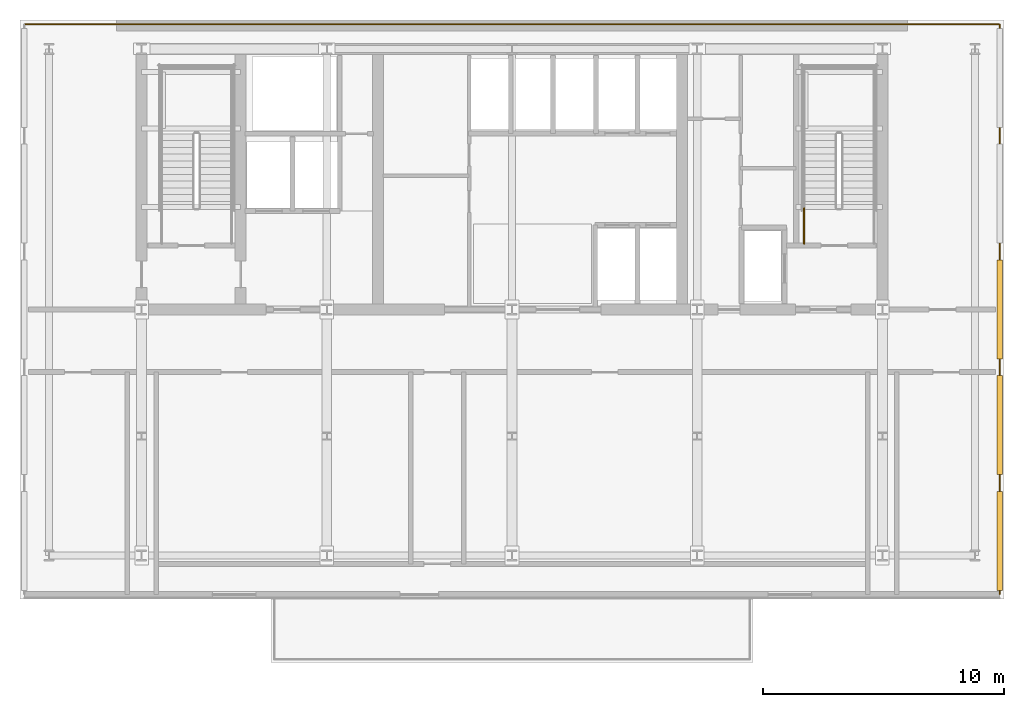
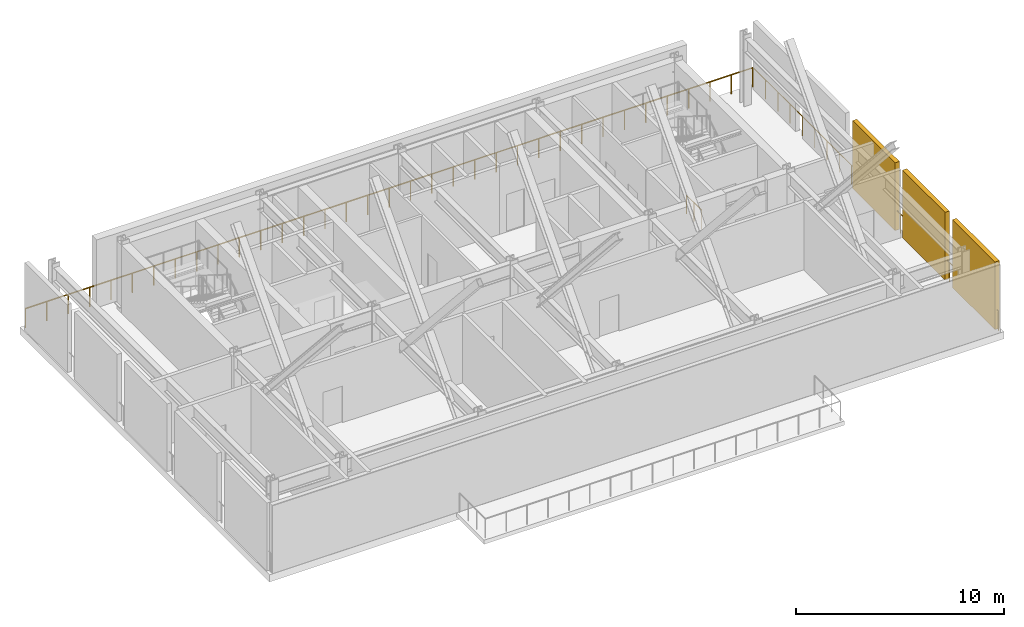
# One storey, part 7 of 8: 3 railings, 3 shading devices.
"""IFC4 building model written with IfcOpenShell, lengths in metres."""

from ifc_helpers import new_model, si_unit, direction, frame, origin, origin_2d, place, context, subcontext, project, spatial, rectangle, circle, extrude, material, layer, layer_set, type_object, element, save


model = new_model("IFC4")

# Units and contexts
model_context = context("Model", 3, precision=1e-05, world=origin(), true_north=direction((0.0, 1.0)))
body_context = subcontext(model_context, "Body", "Model", "MODEL_VIEW")
ifc_project = project(units=[si_unit("LENGTHUNIT", "METRE"), si_unit("AREAUNIT", "SQUARE_METRE"), si_unit("VOLUMEUNIT", "CUBIC_METRE"), si_unit("PLANEANGLEUNIT", "RADIAN"), si_unit("MASSUNIT", "GRAM", prefix="KILO")], contexts=[model_context])

# Site, building, storey
site_placement = place(None, origin())
site = spatial("IfcSite", under=ifc_project, at=site_placement, CompositionType="ELEMENT")
building_placement = place(site_placement, origin())
building = spatial("IfcBuilding", under=site, at=building_placement, Name="Yelkora Congress Tower", CompositionType="ELEMENT")
storey_placement = place(building_placement, frame((0.0, 0.0, 191.89990234375)))
storey = spatial("IfcBuildingStorey", under=building, at=storey_placement, Name="L53", CompositionType="ELEMENT", Elevation=191.89990234375)

# Railings
ifc_material_1 = material(Name="Stainless steel 316L and laminated glass infill", Category="steel")
ifc_layer_1 = layer(ifc_material_1, 0.080078125)
ifc_layer_set_1 = layer_set([ifc_layer_1], Name="Stainless steel 316L and laminated glass infill")
railing_type_1 = type_object("IfcRailingType", Name="RAIL-EXT-GUARD-1150", PredefinedType="GUARDRAIL", material=ifc_layer_set_1)
railing_1_placement = place(storey_placement, frame((58.6201171875, 23.60009765625, 0.0)))
element("IfcRailing", 1, at=railing_1_placement, inside=storey, type_object=railing_type_1, Name="L53 Wind-Floor Perimeter Guardrail E", PredefinedType="GUARDRAIL", context=body_context, shape_type="SweptSolid", body=[
    extrude(circle(Radius=0.02392578125, at=origin_2d()), frame((0.0, 0.0, 1.1259765625), z_axis=(0.0, 1.0, 0.0), x_axis=(-1.0, 0.0, 0.0)), (0.0, 0.0, 1.0), 23.599853515625),
    extrude(circle(Radius=0.02099609375, at=origin_2d()), origin(), (0.0, 0.0, 1.0), 1.101806640625),
    extrude(circle(Radius=0.02099609375, at=origin_2d()), frame((0.0, 1.179931640625, 0.0)), (0.0, 0.0, 1.0), 1.101806640625),
    extrude(circle(Radius=0.02099609375, at=origin_2d()), frame((0.0, 2.35986328125, 0.0)), (0.0, 0.0, 1.0), 1.101806640625),
    extrude(circle(Radius=0.02099609375, at=origin_2d()), frame((0.0, 3.5400390625, 0.0)), (0.0, 0.0, 1.0), 1.101806640625),
    extrude(circle(Radius=0.02099609375, at=origin_2d()), frame((0.0, 4.719970703125, 0.0)), (0.0, 0.0, 1.0), 1.101806640625),
    extrude(circle(Radius=0.02099609375, at=origin_2d()), frame((0.0, 5.89990234375, 0.0)), (0.0, 0.0, 1.0), 1.101806640625),
    extrude(circle(Radius=0.02099609375, at=origin_2d()), frame((0.0, 7.080078125, 0.0)), (0.0, 0.0, 1.0), 1.101806640625),
    extrude(circle(Radius=0.02099609375, at=origin_2d()), frame((0.0, 8.260009765625, 0.0)), (0.0, 0.0, 1.0), 1.101806640625),
    extrude(circle(Radius=0.02099609375, at=origin_2d()), frame((0.0, 9.43994140625, 0.0)), (0.0, 0.0, 1.0), 1.101806640625),
    extrude(circle(Radius=0.02099609375, at=origin_2d()), frame((0.0, 10.619873046875, 0.0)), (0.0, 0.0, 1.0), 1.101806640625),
    extrude(circle(Radius=0.02099609375, at=origin_2d()), frame((0.0, 11.7998046875, 0.0)), (0.0, 0.0, 1.0), 1.101806640625),
    extrude(circle(Radius=0.02099609375, at=origin_2d()), frame((0.0, 12.97998046875, 0.0)), (0.0, 0.0, 1.0), 1.101806640625),
    extrude(circle(Radius=0.02099609375, at=origin_2d()), frame((0.0, 14.159912109375, 0.0)), (0.0, 0.0, 1.0), 1.101806640625),
    extrude(circle(Radius=0.02099609375, at=origin_2d()), frame((0.0, 15.33984375, 0.0)), (0.0, 0.0, 1.0), 1.101806640625),
    extrude(circle(Radius=0.02099609375, at=origin_2d()), frame((0.0, 16.52001953125, 0.0)), (0.0, 0.0, 1.0), 1.101806640625),
    extrude(circle(Radius=0.02099609375, at=origin_2d()), frame((0.0, 17.699951171875, 0.0)), (0.0, 0.0, 1.0), 1.101806640625),
    extrude(circle(Radius=0.02099609375, at=origin_2d()), frame((0.0, 18.8798828125, 0.0)), (0.0, 0.0, 1.0), 1.101806640625),
    extrude(circle(Radius=0.02099609375, at=origin_2d()), frame((0.0, 20.059814453125, 0.0)), (0.0, 0.0, 1.0), 1.101806640625),
    extrude(circle(Radius=0.02099609375, at=origin_2d()), frame((0.0, 21.23974609375, 0.0)), (0.0, 0.0, 1.0), 1.101806640625),
    extrude(circle(Radius=0.02099609375, at=origin_2d()), frame((0.0, 22.419921875, 0.0)), (0.0, 0.0, 1.0), 1.101806640625),
    extrude(circle(Radius=0.02099609375, at=origin_2d()), frame((0.0, 23.599853515625, 0.0)), (0.0, 0.0, 1.0), 1.101806640625),
])
railing_2_placement = place(storey_placement, frame((18.199951171875, 47.219970703125, 0.0)))
element("IfcRailing", 2, at=railing_2_placement, inside=storey, type_object=railing_type_1, Name="L53 North Perimeter Guardrail", PredefinedType="GUARDRAIL", context=body_context, shape_type="SweptSolid", body=[
    extrude(circle(Radius=0.02392578125, at=origin_2d()), frame((0.0, 0.0, 1.1259765625), z_axis=(1.0, 0.0, 0.0), x_axis=(0.0, 1.0, 0.0)), (0.0, 0.0, 1.0), 40.400146484375),
    extrude(circle(Radius=0.02099609375, at=origin_2d()), origin(), (0.0, 0.0, 1.0), 1.101806640625),
    extrude(circle(Radius=0.02099609375, at=origin_2d()), frame((1.188232421875, 0.0, 0.0)), (0.0, 0.0, 1.0), 1.101806640625),
    extrude(circle(Radius=0.02099609375, at=origin_2d()), frame((2.37646484375, 0.0, 0.0)), (0.0, 0.0, 1.0), 1.101806640625),
    extrude(circle(Radius=0.02099609375, at=origin_2d()), frame((3.564697265625, 0.0, 0.0)), (0.0, 0.0, 1.0), 1.101806640625),
    extrude(circle(Radius=0.02099609375, at=origin_2d()), frame((4.7529296875, 0.0, 0.0)), (0.0, 0.0, 1.0), 1.101806640625),
    extrude(circle(Radius=0.02099609375, at=origin_2d()), frame((5.941162109375, 0.0, 0.0)), (0.0, 0.0, 1.0), 1.101806640625),
    extrude(circle(Radius=0.02099609375, at=origin_2d()), frame((7.12939453125, 0.0, 0.0)), (0.0, 0.0, 1.0), 1.101806640625),
    extrude(circle(Radius=0.02099609375, at=origin_2d()), frame((8.317626953125, 0.0, 0.0)), (0.0, 0.0, 1.0), 1.101806640625),
    extrude(circle(Radius=0.02099609375, at=origin_2d()), frame((9.505859375, 0.0, 0.0)), (0.0, 0.0, 1.0), 1.101806640625),
    extrude(circle(Radius=0.02099609375, at=origin_2d()), frame((10.694091796875, 0.0, 0.0)), (0.0, 0.0, 1.0), 1.101806640625),
    extrude(circle(Radius=0.02099609375, at=origin_2d()), frame((11.88232421875, 0.0, 0.0)), (0.0, 0.0, 1.0), 1.101806640625),
    extrude(circle(Radius=0.02099609375, at=origin_2d()), frame((13.070556640625, 0.0, 0.0)), (0.0, 0.0, 1.0), 1.101806640625),
    extrude(circle(Radius=0.02099609375, at=origin_2d()), frame((14.2587890625, 0.0, 0.0)), (0.0, 0.0, 1.0), 1.101806640625),
    extrude(circle(Radius=0.02099609375, at=origin_2d()), frame((15.447021484375, 0.0, 0.0)), (0.0, 0.0, 1.0), 1.101806640625),
    extrude(circle(Radius=0.02099609375, at=origin_2d()), frame((16.63525390625, 0.0, 0.0)), (0.0, 0.0, 1.0), 1.101806640625),
    extrude(circle(Radius=0.02099609375, at=origin_2d()), frame((17.823486328125, 0.0, 0.0)), (0.0, 0.0, 1.0), 1.101806640625),
    extrude(circle(Radius=0.02099609375, at=origin_2d()), frame((19.01171875, 0.0, 0.0)), (0.0, 0.0, 1.0), 1.101806640625),
    extrude(circle(Radius=0.02099609375, at=origin_2d()), frame((20.2001953125, 0.0, 0.0)), (0.0, 0.0, 1.0), 1.101806640625),
    extrude(circle(Radius=0.02099609375, at=origin_2d()), frame((21.388427734375, 0.0, 0.0)), (0.0, 0.0, 1.0), 1.101806640625),
    extrude(circle(Radius=0.02099609375, at=origin_2d()), frame((22.57666015625, 0.0, 0.0)), (0.0, 0.0, 1.0), 1.101806640625),
    extrude(circle(Radius=0.02099609375, at=origin_2d()), frame((23.764892578125, 0.0, 0.0)), (0.0, 0.0, 1.0), 1.101806640625),
    extrude(circle(Radius=0.02099609375, at=origin_2d()), frame((24.953125, 0.0, 0.0)), (0.0, 0.0, 1.0), 1.101806640625),
    extrude(circle(Radius=0.02099609375, at=origin_2d()), frame((26.141357421875, 0.0, 0.0)), (0.0, 0.0, 1.0), 1.101806640625),
    extrude(circle(Radius=0.02099609375, at=origin_2d()), frame((27.32958984375, 0.0, 0.0)), (0.0, 0.0, 1.0), 1.101806640625),
    extrude(circle(Radius=0.02099609375, at=origin_2d()), frame((28.517822265625, 0.0, 0.0)), (0.0, 0.0, 1.0), 1.101806640625),
    extrude(circle(Radius=0.02099609375, at=origin_2d()), frame((29.7060546875, 0.0, 0.0)), (0.0, 0.0, 1.0), 1.101806640625),
    extrude(circle(Radius=0.02099609375, at=origin_2d()), frame((30.894287109375, 0.0, 0.0)), (0.0, 0.0, 1.0), 1.101806640625),
    extrude(circle(Radius=0.02099609375, at=origin_2d()), frame((32.08251953125, 0.0, 0.0)), (0.0, 0.0, 1.0), 1.101806640625),
    extrude(circle(Radius=0.02099609375, at=origin_2d()), frame((33.270751953125, 0.0, 0.0)), (0.0, 0.0, 1.0), 1.101806640625),
    extrude(circle(Radius=0.02099609375, at=origin_2d()), frame((34.458984375, 0.0, 0.0)), (0.0, 0.0, 1.0), 1.101806640625),
    extrude(circle(Radius=0.02099609375, at=origin_2d()), frame((35.647216796875, 0.0, 0.0)), (0.0, 0.0, 1.0), 1.101806640625),
    extrude(circle(Radius=0.02099609375, at=origin_2d()), frame((36.83544921875, 0.0, 0.0)), (0.0, 0.0, 1.0), 1.101806640625),
    extrude(circle(Radius=0.02099609375, at=origin_2d()), frame((38.023681640625, 0.0, 0.0)), (0.0, 0.0, 1.0), 1.101806640625),
    extrude(circle(Radius=0.02099609375, at=origin_2d()), frame((39.2119140625, 0.0, 0.0)), (0.0, 0.0, 1.0), 1.101806640625),
    extrude(circle(Radius=0.02099609375, at=origin_2d()), frame((40.400146484375, 0.0, 0.0)), (0.0, 0.0, 1.0), 1.101806640625),
])
ifc_material_2 = material(Name="Painted galvanised steel stair well guard with vertical infill", Category="steel")
ifc_layer_2 = layer(ifc_material_2, 0.06005859375)
ifc_layer_set_2 = layer_set([ifc_layer_2], Name="Painted galvanised steel stair well guard with vertical infill")
railing_type_2 = type_object("IfcRailingType", Name="RAIL-STAIR-GUARD-1120", PredefinedType="GUARDRAIL", material=ifc_layer_set_2)
railing_3_placement = place(storey_placement, frame((50.510009765625, 38.1201171875, 0.0)))
element("IfcRailing", 3, at=railing_3_placement, inside=storey, type_object=railing_type_2, Name="ST-02 L53 Stair Well Guardrail 9", PredefinedType="GUARDRAIL", context=body_context, shape_type="SweptSolid", body=[
    extrude(circle(Radius=0.02392578125, at=origin_2d()), frame((0.0, 0.0, 1.09619140625), z_axis=(0.0, 1.0, 0.0), x_axis=(-1.0, 0.0, 0.0)), (0.0, 0.0, 1.0), 1.47998046875),
    extrude(circle(Radius=0.02099609375, at=origin_2d()), origin(), (0.0, 0.0, 1.0), 1.072021484375),
    extrude(circle(Radius=0.02099609375, at=origin_2d()), frame((0.0, 0.739990234375, 0.0)), (0.0, 0.0, 1.0), 1.072021484375),
    extrude(circle(Radius=0.02099609375, at=origin_2d()), frame((0.0, 1.47998046875, 0.0)), (0.0, 0.0, 1.0), 1.072021484375),
])

# Shading devices
ifc_material_3 = material(Name="Perforated anodised aluminium louvre", Category="aluminium")
ifc_layer_3 = layer(ifc_material_3, 3.39990234375)
ifc_layer_set_3 = layer_set([ifc_layer_3], Name="Perforated anodised aluminium louvre")
shading_device_type = type_object("IfcShadingDeviceType", Name="SHD-LOUVRE-WIND", PredefinedType="JALOUSIE", material=ifc_layer_set_3)
for number, where, z_axis, x_axis, name in (
    (4, (58.6201171875, 25.800048828125, 0.0), (0.0, 0.0, 1.0), (1.0, 0.0, 0.0), "L53 Acoustic Wind-Floor Louvre Screen E1"),
    (5, (58.6201171875, 30.60009765625, 0.0), (0.0, 0.0, 1.0), (1.0, 0.0, 0.0), "L53 Acoustic Wind-Floor Louvre Screen E2"),
    (6, (58.6201171875, 35.39990234375, 0.0), (0.0, 0.0, 1.0), (1.0, 0.0, 0.0), "L53 Acoustic Wind-Floor Louvre Screen E3"),
):
    element("IfcShadingDevice", number, at=place(storey_placement, frame(where, z_axis=z_axis, x_axis=x_axis)), inside=storey, type_object=shading_device_type, Name=name, PredefinedType="JALOUSIE", context=body_context, shape_type="SweptSolid", body=[
        extrude(rectangle(XDim=0.239990234375, YDim=4.10009765625, at=origin_2d()), origin(), (0.0, 0.0, 1.0), 3.97998046875),
    ])

save(model, "model.ifc")
